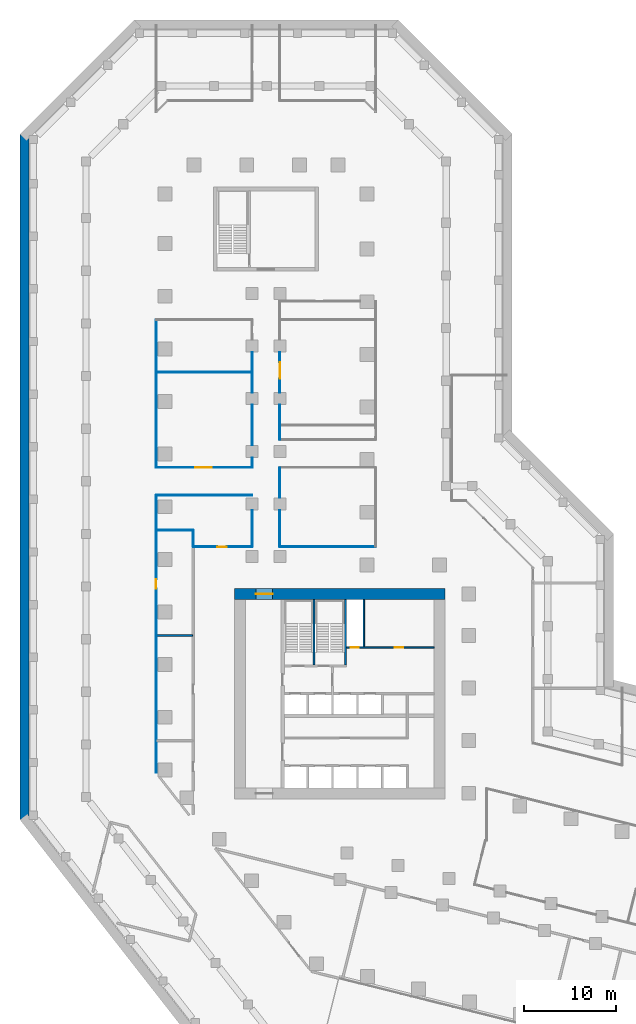
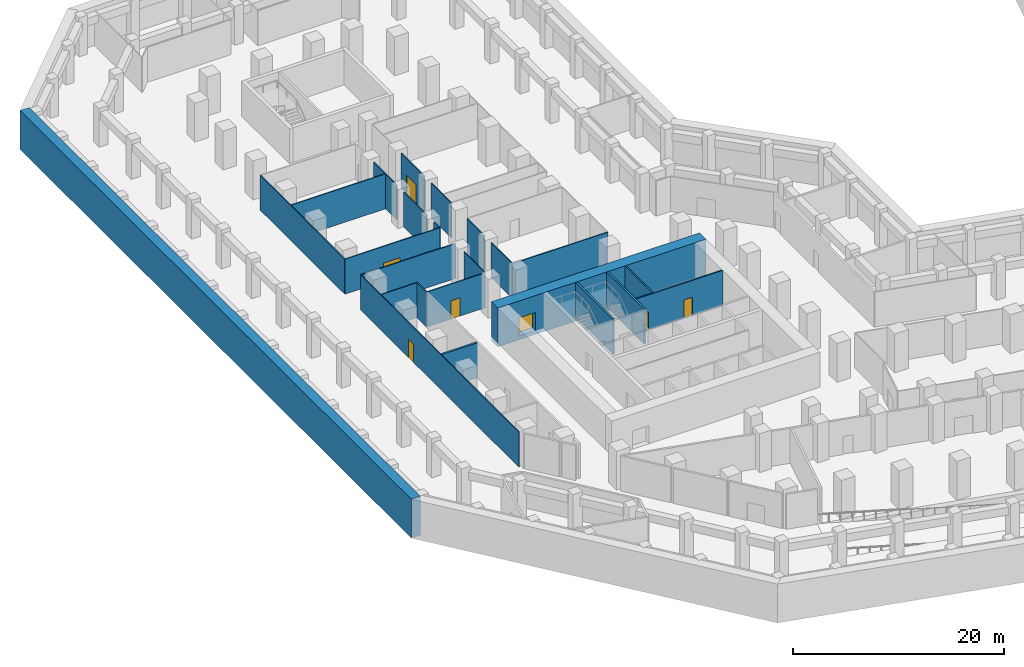
# One storey, part 9 of 14: 24 walls, 7 doors, 7 openings.
"""IFC4 building model written with IfcOpenShell, lengths in metres."""

from ifc_helpers import new_model, si_unit, direction, frame, frame_2d, origin, place, context, subcontext, project, spatial, rectangle, extrude, material, layer, layer_set, type_object, element, fill, save


model = new_model("IFC4")

# Units and contexts
model_context = context("Model", 3, precision=1e-05, world=origin(), true_north=direction((0.0, 1.0)))
body_context = subcontext(model_context, "Body", "Model", "MODEL_VIEW")
ifc_project = project(units=[si_unit("LENGTHUNIT", "METRE"), si_unit("AREAUNIT", "SQUARE_METRE"), si_unit("VOLUMEUNIT", "CUBIC_METRE"), si_unit("PLANEANGLEUNIT", "RADIAN"), si_unit("MASSUNIT", "GRAM", prefix="KILO")], contexts=[model_context])

# Site, building, storey
site_placement = place(None, origin())
site = spatial("IfcSite", under=ifc_project, at=site_placement, CompositionType="ELEMENT")
building_placement = place(site_placement, origin())
building = spatial("IfcBuilding", under=site, at=building_placement, Name="Meshkara Civic Tower", CompositionType="ELEMENT")
storey_placement = place(building_placement, frame((0.0, 0.0, -4.5)))
storey = spatial("IfcBuildingStorey", under=building, at=storey_placement, Name="B1", CompositionType="ELEMENT", Elevation=-4.5)

# Wall, openings, doors
ifc_material_1 = material(Name="Blockwork", Category="masonry")
ifc_layer_1 = layer(ifc_material_1, 0.14990234375)
ifc_layer_set_1 = layer_set([ifc_layer_1], Name="Core partition 150")
wall_type_1 = type_object("IfcWallType", Name="Core partition 150", PredefinedType="PARTITIONING", material=ifc_layer_set_1)
wall_1_placement = place(storey_placement, frame((20.10009765625, 30.5, 0.0), z_axis=(0.0, 0.0, 1.0), x_axis=(1.0, 0.0, 0.0)))
wall_1 = element("IfcWall", 1, at=wall_1_placement, inside=storey, type_object=wall_type_1, Name="B1-C010", PredefinedType="PARTITIONING", context=body_context, shape_type="SweptSolid", body=[
    extrude(rectangle(XDim=9.5, YDim=0.14990234375, at=frame_2d((4.75, 0.0))), origin(), (0.0, 0.0, 1.0), 4.050048828125),
])
opening_1_placement = place(wall_1_placement, frame((0.449951171875, 0.0, 0.0)))
opening_1 = element("IfcOpeningElement", 2, at=opening_1_placement, cuts=wall_1, Name="Opening B1-K011", PredefinedType="OPENING", context=body_context, shape_type="SweptSolid", body=[
    extrude(rectangle(XDim=0.89990234375, YDim=2.10009765625, at=frame_2d((0.449951171875, 1.050048828125))), frame((0.0, 0.0849609375, 0.0), z_axis=(0.0, -1.0, 0.0), x_axis=(1.0, 0.0, 0.0)), (0.0, 0.0, 1.0), 0.169921875),
])
opening_2_placement = place(wall_1_placement, frame((5.25, 0.0, 0.0)))
opening_2 = element("IfcOpeningElement", 3, at=opening_2_placement, cuts=wall_1, Name="Opening B1-K012", PredefinedType="OPENING", context=body_context, shape_type="SweptSolid", body=[
    extrude(rectangle(XDim=0.89990234375, YDim=2.10009765625, at=frame_2d((0.449951171875, 1.050048828125))), frame((0.0, 0.0849609375, 0.0), z_axis=(0.0, -1.0, 0.0), x_axis=(1.0, 0.0, 0.0)), (0.0, 0.0, 1.0), 0.169921875),
])
ifc_material_2 = material(Name="Timber door leaf in steel frame", Category="steel")
door_type_1 = type_object("IfcDoorType", Name="Core room door 900", OperationType="SINGLE_SWING_LEFT", PredefinedType="DOOR", material=ifc_material_2)
door_1_placement = place(opening_2_placement, origin())
door_1 = element("IfcDoor", 4, at=door_1_placement, inside=storey, type_object=door_type_1, Name="B1-K012", OperationType="SINGLE_SWING_LEFT", OverallHeight=2.10009765625, OverallWidth=0.89990234375, PredefinedType="DOOR", context=body_context, shape_type="SweptSolid", body=[
    extrude(rectangle(XDim=0.89990234375, YDim=2.10009765625, at=frame_2d((0.449951171875, 1.050048828125))), frame((0.0, 0.02490234375, 0.0), z_axis=(0.0, -1.0, 0.0), x_axis=(1.0, 0.0, 0.0)), (0.0, 0.0, 1.0), 0.050048828125),
])
fill(opening_2, door_1)
ifc_material_3 = material(Name="Fire-rated door leaf in steel frame", Category="steel")
door_type_2 = type_object("IfcDoorType", Name="Riser door 900", OperationType="SINGLE_SWING_LEFT", PredefinedType="DOOR", material=ifc_material_3)
door_2_placement = place(opening_1_placement, origin())
door_2 = element("IfcDoor", 5, at=door_2_placement, inside=storey, type_object=door_type_2, Name="B1-K011", OperationType="SINGLE_SWING_RIGHT", OverallHeight=2.10009765625, OverallWidth=0.89990234375, PredefinedType="DOOR", context=body_context, shape_type="SweptSolid", body=[
    extrude(rectangle(XDim=0.89990234375, YDim=2.10009765625, at=frame_2d((0.449951171875, 1.050048828125))), frame((0.0, 0.02490234375, 0.0), z_axis=(0.0, -1.0, 0.0), x_axis=(1.0, 0.0, 0.0)), (0.0, 0.0, 1.0), 0.050048828125),
])
fill(opening_1, door_2)

# Wall
wall_2_placement = place(storey_placement, frame((22.0, 30.574951171875, 0.0), z_axis=(0.0, 0.0, 1.0), x_axis=(0.0, 1.0, 0.0)))
element("IfcWall", 6, at=wall_2_placement, inside=storey, type_object=wall_type_1, Name="B1-C020", PredefinedType="PARTITIONING", context=body_context, shape_type="SweptSolid", body=[
    extrude(rectangle(XDim=5.125, YDim=0.14990234375, at=frame_2d((2.5625, 0.0))), origin(), (0.0, 0.0, 1.0), 4.050048828125),
])

# Wall, opening, door
ifc_material_4 = material(Name="Concrete C80", Category="concrete")
ifc_layer_2 = layer(ifc_material_4, 1.199951171875)
ifc_layer_set_2 = layer_set([ifc_layer_2], Name="Core ring wall 1200 C80")
wall_type_2 = type_object("IfcWallType", Name="Core ring wall 1200 C80", PredefinedType="SHEAR", material=ifc_layer_set_2)
wall_3_placement = place(storey_placement, frame((8.0, 36.300048828125, -0.449951171875), z_axis=(0.0, 0.0, 1.0), x_axis=(1.0, 0.0, 0.0)))
wall_3 = element("IfcWall", 7, at=wall_3_placement, inside=storey, type_object=wall_type_2, Name="B1-C002", PredefinedType="SHEAR", context=body_context, shape_type="SweptSolid", body=[
    extrude(rectangle(XDim=22.800048828125, YDim=1.199951171875, at=frame_2d((11.39990234375, 0.0))), origin(), (0.0, 0.0, 1.0), 4.5),
])
opening_3_placement = place(wall_3_placement, frame((2.300048828125, 0.0, 0.449951171875)))
opening_3 = element("IfcOpeningElement", 8, at=opening_3_placement, cuts=wall_3, Name="Opening B1-K018", PredefinedType="OPENING", context=body_context, shape_type="SweptSolid", body=[
    extrude(rectangle(XDim=1.800048828125, YDim=2.10009765625, at=frame_2d((0.89990234375, 1.050048828125))), frame((0.0, 0.60986328125, 0.0), z_axis=(0.0, -1.0, 0.0), x_axis=(1.0, 0.0, 0.0)), (0.0, 0.0, 1.0), 1.219970703125),
])
ifc_material_5 = material(Name="Fire-rated door leaf in steel frame", Category="steel")
door_type_3 = type_object("IfcDoorType", Name="Core double door 1800 EI 60", OperationType="DOUBLE_DOOR_SINGLE_SWING", PredefinedType="DOOR", material=ifc_material_5)
door_3_placement = place(opening_3_placement, origin())
door_3 = element("IfcDoor", 9, at=door_3_placement, inside=storey, type_object=door_type_3, Name="B1-K018", OperationType="DOUBLE_DOOR_SINGLE_SWING", OverallHeight=2.10009765625, OverallWidth=1.800048828125, PredefinedType="DOOR", context=body_context, shape_type="SweptSolid", body=[
    extrude(rectangle(XDim=1.800048828125, YDim=2.10009765625, at=frame_2d((0.89990234375, 1.050048828125))), frame((0.0, 0.02490234375, 0.0), z_axis=(0.0, -1.0, 0.0), x_axis=(1.0, 0.0, 0.0)), (0.0, 0.0, 1.0), 0.050048828125),
])
fill(opening_3, door_3)

ifc_material_6 = material(Name="Corridor wall 100")
ifc_layer_3 = layer(ifc_material_6, 0.10009765625)
ifc_layer_set_3 = layer_set([ifc_layer_3], Name="Corridor wall 100")
wall_type_3 = type_object("IfcWallType", Name="Corridor wall 100", PredefinedType="PARTITIONING", material=ifc_layer_set_3)
wall_4_placement = place(storey_placement, frame((-0.5, 16.927978515625, 0.0), z_axis=(0.0, 0.0, 1.0), x_axis=(0.0, 1.0, 0.0)))
wall_4 = element("IfcWall", 10, at=wall_4_placement, inside=storey, type_object=wall_type_3, Name="B1-R004", PredefinedType="PARTITIONING", context=body_context, shape_type="SweptSolid", body=[
    extrude(rectangle(XDim=30.072021484375, YDim=0.10009765625, at=frame_2d((15.0361328125, 0.0))), origin(), (0.0, 0.0, 1.0), 4.050048828125),
])
opening_4_placement = place(wall_4_placement, frame((19.951904296875, 0.0, 0.0)))
opening_4 = element("IfcOpeningElement", 11, at=opening_4_placement, cuts=wall_4, Name="Opening B1-P020", PredefinedType="OPENING", context=body_context, shape_type="SweptSolid", body=[
    extrude(rectangle(XDim=1.0, YDim=2.10009765625, at=frame_2d((0.5, 1.050048828125))), frame((0.0, 0.06005859375, 0.0), z_axis=(0.0, -1.0, 0.0), x_axis=(1.0, 0.0, 0.0)), (0.0, 0.0, 1.0), 0.1201171875),
])
ifc_material_7 = material(Name="Door 1000 x 2100")
door_type_4 = type_object("IfcDoorType", Name="Door 1000 x 2100", OperationType="SINGLE_SWING_LEFT", PredefinedType="DOOR", material=ifc_material_7)
door_4_placement = place(opening_4_placement, origin())
door_4 = element("IfcDoor", 12, at=door_4_placement, inside=storey, type_object=door_type_4, Name="B1-P020", OperationType="SINGLE_SWING_RIGHT", OverallHeight=2.10009765625, OverallWidth=1.0, PredefinedType="DOOR", context=body_context, shape_type="SweptSolid", body=[
    extrude(rectangle(XDim=1.0, YDim=2.10009765625, at=frame_2d((0.5, 1.050048828125))), frame((0.0, 0.02490234375, 0.0), z_axis=(0.0, -1.0, 0.0), x_axis=(1.0, 0.0, 0.0)), (0.0, 0.0, 1.0), 0.050048828125),
])
fill(opening_4, door_4)

# Walls
wall_5_placement = place(storey_placement, frame((-0.5, 47.0, 0.0), z_axis=(0.0, 0.0, 1.0), x_axis=(1.0, 0.0, 0.0)))
element("IfcWall", 13, at=wall_5_placement, inside=storey, type_object=wall_type_3, Name="B1-R005", PredefinedType="PARTITIONING", context=body_context, shape_type="SweptSolid", body=[
    extrude(rectangle(XDim=10.39990234375, YDim=0.10009765625, at=frame_2d((5.199951171875, 0.0))), origin(), (0.0, 0.0, 1.0), 4.050048828125),
])
wall_6_placement = place(storey_placement, frame((-0.5, 66.0, 0.0), z_axis=(0.0, 0.0, 1.0), x_axis=(0.0, -1.0, 0.0)))
element("IfcWall", 14, at=wall_6_placement, inside=storey, type_object=wall_type_3, Name="B1-R006", PredefinedType="PARTITIONING", context=body_context, shape_type="SweptSolid", body=[
    extrude(rectangle(XDim=16.0, YDim=0.10009765625, at=frame_2d((8.0, 0.0))), origin(), (0.0, 0.0, 1.0), 4.050048828125),
])

# Wall, opening, door
wall_7_placement = place(storey_placement, frame((9.89990234375, 41.39990234375, 0.0), z_axis=(0.0, 0.0, 1.0), x_axis=(-1.0, 0.0, 0.0)))
wall_7 = element("IfcWall", 15, at=wall_7_placement, inside=storey, type_object=wall_type_3, Name="B1-R018", PredefinedType="PARTITIONING", context=body_context, shape_type="SweptSolid", body=[
    extrude(rectangle(XDim=6.39990234375, YDim=0.10009765625, at=frame_2d((3.199951171875, 0.0))), origin(), (0.0, 0.0, 1.0), 4.050048828125),
])
opening_5_placement = place(wall_7_placement, frame((2.780029296875, 0.0, 0.0)))
opening_5 = element("IfcOpeningElement", 16, at=opening_5_placement, cuts=wall_7, Name="Opening B1-P021", PredefinedType="OPENING", context=body_context, shape_type="SweptSolid", body=[
    extrude(rectangle(XDim=1.0, YDim=2.10009765625, at=frame_2d((0.5, 1.050048828125))), frame((0.0, 0.06005859375, 0.0), z_axis=(0.0, -1.0, 0.0), x_axis=(1.0, 0.0, 0.0)), (0.0, 0.0, 1.0), 0.1201171875),
])
door_5_placement = place(opening_5_placement, origin())
door_5 = element("IfcDoor", 17, at=door_5_placement, inside=storey, type_object=door_type_4, Name="B1-P021", OperationType="SINGLE_SWING_LEFT", OverallHeight=2.10009765625, OverallWidth=1.0, PredefinedType="DOOR", context=body_context, shape_type="SweptSolid", body=[
    extrude(rectangle(XDim=1.0, YDim=2.10009765625, at=frame_2d((0.5, 1.050048828125))), frame((0.0, 0.02490234375, 0.0), z_axis=(0.0, -1.0, 0.0), x_axis=(1.0, 0.0, 0.0)), (0.0, 0.0, 1.0), 0.050048828125),
])
fill(opening_5, door_5)

# Wall
wall_8_placement = place(storey_placement, frame((9.89990234375, 45.3798828125, 0.0), z_axis=(0.0, 0.0, 1.0), x_axis=(0.0, -1.0, 0.0)))
element("IfcWall", 18, at=wall_8_placement, inside=storey, type_object=wall_type_3, Name="B1-R019", PredefinedType="PARTITIONING", context=body_context, shape_type="SweptSolid", body=[
    extrude(rectangle(XDim=3.97998046875, YDim=0.10009765625, at=frame_2d((1.989990234375, 0.0))), origin(), (0.0, 0.0, 1.0), 4.050048828125),
])

# Wall, opening, door
wall_9_placement = place(storey_placement, frame((9.89990234375, 50.0, 0.0), z_axis=(0.0, 0.0, 1.0), x_axis=(-1.0, 0.0, 0.0)))
wall_9 = element("IfcWall", 19, at=wall_9_placement, inside=storey, type_object=wall_type_3, Name="B1-R020", PredefinedType="PARTITIONING", context=body_context, shape_type="SweptSolid", body=[
    extrude(rectangle(XDim=10.39990234375, YDim=0.10009765625, at=frame_2d((5.199951171875, 0.0))), origin(), (0.0, 0.0, 1.0), 4.050048828125),
])
opening_6_placement = place(wall_9_placement, frame((4.3798828125, 0.0, 0.0)))
opening_6 = element("IfcOpeningElement", 20, at=opening_6_placement, cuts=wall_9, Name="Opening B1-P024", PredefinedType="OPENING", context=body_context, shape_type="SweptSolid", body=[
    extrude(rectangle(XDim=1.800048828125, YDim=2.10009765625, at=frame_2d((0.89990234375, 1.050048828125))), frame((0.0, 0.06005859375, 0.0), z_axis=(0.0, -1.0, 0.0), x_axis=(1.0, 0.0, 0.0)), (0.0, 0.0, 1.0), 0.1201171875),
])
ifc_material_8 = material(Name="Door pair 1800 x 2100")
door_type_5 = type_object("IfcDoorType", Name="Door pair 1800 x 2100", OperationType="SINGLE_SWING_LEFT", PredefinedType="DOOR", material=ifc_material_8)
door_6_placement = place(opening_6_placement, origin())
door_6 = element("IfcDoor", 21, at=door_6_placement, inside=storey, type_object=door_type_5, Name="B1-P024", OperationType="DOUBLE_DOOR_SINGLE_SWING", OverallHeight=2.10009765625, OverallWidth=1.800048828125, PredefinedType="DOOR", context=body_context, shape_type="SweptSolid", body=[
    extrude(rectangle(XDim=1.800048828125, YDim=2.10009765625, at=frame_2d((0.89990234375, 1.050048828125))), frame((0.0, 0.02490234375, 0.0), z_axis=(0.0, -1.0, 0.0), x_axis=(1.0, 0.0, 0.0)), (0.0, 0.0, 1.0), 0.050048828125),
])
fill(opening_6, door_6)

# Walls
wall_10_placement = place(storey_placement, frame((9.89990234375, 51.080078125, 0.0), z_axis=(0.0, 0.0, 1.0), x_axis=(0.0, -1.0, 0.0)))
element("IfcWall", 22, at=wall_10_placement, inside=storey, type_object=wall_type_3, Name="B1-R021", PredefinedType="PARTITIONING", context=body_context, shape_type="SweptSolid", body=[
    extrude(rectangle(XDim=1.080078125, YDim=0.10009765625, at=frame_2d((0.5400390625, 0.0))), origin(), (0.0, 0.0, 1.0), 4.050048828125),
])
wall_11_placement = place(storey_placement, frame((9.89990234375, 56.780029296875, 0.0), z_axis=(0.0, 0.0, 1.0), x_axis=(0.0, -1.0, 0.0)))
element("IfcWall", 23, at=wall_11_placement, inside=storey, type_object=wall_type_3, Name="B1-R022", PredefinedType="PARTITIONING", context=body_context, shape_type="SweptSolid", body=[
    extrude(rectangle(XDim=4.360107421875, YDim=0.10009765625, at=frame_2d((2.18017578125, 0.0))), origin(), (0.0, 0.0, 1.0), 4.050048828125),
])
wall_12_placement = place(storey_placement, frame((9.89990234375, 62.47998046875, 0.0), z_axis=(0.0, 0.0, 1.0), x_axis=(0.0, -1.0, 0.0)))
element("IfcWall", 24, at=wall_12_placement, inside=storey, type_object=wall_type_3, Name="B1-R023", PredefinedType="PARTITIONING", context=body_context, shape_type="SweptSolid", body=[
    extrude(rectangle(XDim=4.35986328125, YDim=0.10009765625, at=frame_2d((2.179931640625, 0.0))), origin(), (0.0, 0.0, 1.0), 4.050048828125),
])
wall_13_placement = place(storey_placement, frame((12.89990234375, 41.39990234375, 0.0), z_axis=(0.0, 0.0, 1.0), x_axis=(0.0, 1.0, 0.0)))
element("IfcWall", 25, at=wall_13_placement, inside=storey, type_object=wall_type_3, Name="B1-R028", PredefinedType="PARTITIONING", context=body_context, shape_type="SweptSolid", body=[
    extrude(rectangle(XDim=3.97998046875, YDim=0.10009765625, at=frame_2d((1.989990234375, 0.0))), origin(), (0.0, 0.0, 1.0), 4.050048828125),
])
wall_14_placement = place(storey_placement, frame((12.89990234375, 46.719970703125, 0.0), z_axis=(0.0, 0.0, 1.0), x_axis=(0.0, 1.0, 0.0)))
element("IfcWall", 26, at=wall_14_placement, inside=storey, type_object=wall_type_3, Name="B1-R029", PredefinedType="PARTITIONING", context=body_context, shape_type="SweptSolid", body=[
    extrude(rectangle(XDim=3.280029296875, YDim=0.10009765625, at=frame_2d((1.64013671875, 0.0))), origin(), (0.0, 0.0, 1.0), 4.050048828125),
])
wall_15_placement = place(storey_placement, frame((12.89990234375, 56.780029296875, 0.0), z_axis=(0.0, 0.0, 1.0), x_axis=(0.0, -1.0, 0.0)))
element("IfcWall", 27, at=wall_15_placement, inside=storey, type_object=wall_type_3, Name="B1-R031", PredefinedType="PARTITIONING", context=body_context, shape_type="SweptSolid", body=[
    extrude(rectangle(XDim=3.780029296875, YDim=0.10009765625, at=frame_2d((1.89013671875, 0.0))), origin(), (0.0, 0.0, 1.0), 4.050048828125),
])

# Wall, opening, door
wall_16_placement = place(storey_placement, frame((12.89990234375, 58.1201171875, 0.0), z_axis=(0.0, 0.0, 1.0), x_axis=(0.0, 1.0, 0.0)))
wall_16 = element("IfcWall", 28, at=wall_16_placement, inside=storey, type_object=wall_type_3, Name="B1-R032", PredefinedType="PARTITIONING", context=body_context, shape_type="SweptSolid", body=[
    extrude(rectangle(XDim=4.35986328125, YDim=0.10009765625, at=frame_2d((2.179931640625, 0.0))), origin(), (0.0, 0.0, 1.0), 4.050048828125),
])
opening_7_placement = place(wall_16_placement, frame((1.47998046875, 0.0, 0.0)))
opening_7 = element("IfcOpeningElement", 29, at=opening_7_placement, cuts=wall_16, Name="Opening B1-P028", PredefinedType="OPENING", context=body_context, shape_type="SweptSolid", body=[
    extrude(rectangle(XDim=1.800048828125, YDim=2.10009765625, at=frame_2d((0.89990234375, 1.050048828125))), frame((0.0, 0.06005859375, 0.0), z_axis=(0.0, -1.0, 0.0), x_axis=(1.0, 0.0, 0.0)), (0.0, 0.0, 1.0), 0.1201171875),
])
door_7_placement = place(opening_7_placement, origin())
door_7 = element("IfcDoor", 30, at=door_7_placement, inside=storey, type_object=door_type_5, Name="B1-P028", OperationType="DOUBLE_DOOR_SINGLE_SWING", OverallHeight=2.10009765625, OverallWidth=1.800048828125, PredefinedType="DOOR", context=body_context, shape_type="SweptSolid", body=[
    extrude(rectangle(XDim=1.800048828125, YDim=2.10009765625, at=frame_2d((0.89990234375, 1.050048828125))), frame((0.0, 0.02490234375, 0.0), z_axis=(0.0, -1.0, 0.0), x_axis=(1.0, 0.0, 0.0)), (0.0, 0.0, 1.0), 0.050048828125),
])
fill(opening_7, door_7)

# Walls
wall_17_placement = place(storey_placement, frame((23.300048828125, 41.39990234375, 0.0), z_axis=(0.0, 0.0, 1.0), x_axis=(-1.0, 0.0, 0.0)))
element("IfcWall", 31, at=wall_17_placement, inside=storey, type_object=wall_type_3, Name="B1-R040", PredefinedType="PARTITIONING", context=body_context, shape_type="SweptSolid", body=[
    extrude(rectangle(XDim=10.400146484375, YDim=0.10009765625, at=frame_2d((5.2001953125, 0.0))), origin(), (0.0, 0.0, 1.0), 4.050048828125),
])
ifc_material_9 = material(Name="Concrete C50", Category="concrete")
ifc_layer_4 = layer(ifc_material_9, 1.0)
ifc_layer_set_4 = layer_set([ifc_layer_4], Name="Diaphragm wall 1000 C50")
wall_type_4 = type_object("IfcWallType", Name="Diaphragm wall 1000 C50", PredefinedType="SOLIDWALL", material=ifc_layer_set_4)
wall_18_placement = place(storey_placement, frame((-14.75, 11.8486328125, 0.0), z_axis=(0.0, 0.0, 1.0), x_axis=(0.0, 1.0, 0.0)))
element("IfcWall", 32, at=wall_18_placement, inside=storey, type_object=wall_type_4, Name="Basement perimeter wall", PredefinedType="SOLIDWALL", context=body_context, shape_type="SweptSolid", body=[
    extrude(rectangle(XDim=74.2685546875, YDim=1.0, at=frame_2d((37.13427734375, 0.0))), origin(), (0.0, 0.0, 1.0), 4.5),
])
ifc_material_10 = material(Name="Fire-rated wall 200")
ifc_layer_5 = layer(ifc_material_10, 0.199951171875)
ifc_layer_set_5 = layer_set([ifc_layer_5], Name="Fire-rated wall 200")
wall_type_5 = type_object("IfcWallType", Name="Fire-rated wall 200", PredefinedType="PARTITIONING", material=ifc_layer_set_5)
wall_19_placement = place(storey_placement, frame((3.449951171875, 31.800048828125, 0.0), z_axis=(0.0, 0.0, 1.0), x_axis=(-1.0, 0.0, 0.0)))
element("IfcWall", 33, at=wall_19_placement, inside=storey, type_object=wall_type_5, Name="B1-R088", PredefinedType="PARTITIONING", context=body_context, shape_type="SweptSolid", body=[
    extrude(rectangle(XDim=3.89990234375, YDim=0.199951171875, at=frame_2d((1.949951171875, 0.0))), origin(), (0.0, 0.0, 1.0), 4.050048828125),
])
ifc_material_11 = material(Name="Partition 100")
ifc_layer_6 = layer(ifc_material_11, 0.10009765625)
ifc_layer_set_6 = layer_set([ifc_layer_6], Name="Partition 100")
wall_type_6 = type_object("IfcWallType", Name="Partition 100", PredefinedType="PARTITIONING", material=ifc_layer_set_6)
wall_20_placement = place(storey_placement, frame((-0.449951171875, 43.199951171875, 0.0), z_axis=(0.0, 0.0, 1.0), x_axis=(1.0, 0.0, 0.0)))
element("IfcWall", 34, at=wall_20_placement, inside=storey, type_object=wall_type_6, Name="B1-R086", PredefinedType="PARTITIONING", context=body_context, shape_type="SweptSolid", body=[
    extrude(rectangle(XDim=3.949951171875, YDim=0.10009765625, at=frame_2d((1.97509765625, 0.0))), origin(), (0.0, 0.0, 1.0), 4.050048828125),
])
wall_21_placement = place(storey_placement, frame((3.5, 43.199951171875, 0.0), z_axis=(0.0, 0.0, 1.0), x_axis=(0.0, -1.0, 0.0)))
element("IfcWall", 35, at=wall_21_placement, inside=storey, type_object=wall_type_6, Name="B1-R089", PredefinedType="PARTITIONING", context=body_context, shape_type="SweptSolid", body=[
    extrude(rectangle(XDim=1.803955078125, YDim=0.10009765625, at=frame_2d((0.90185546875, 0.0))), origin(), (0.0, 0.0, 1.0), 4.050048828125),
])
wall_22_placement = place(storey_placement, frame((9.85009765625, 60.300048828125, 0.0), z_axis=(0.0, 0.0, 1.0), x_axis=(-1.0, 0.0, 0.0)))
element("IfcWall", 36, at=wall_22_placement, inside=storey, type_object=wall_type_6, Name="B1-R090", PredefinedType="PARTITIONING", context=body_context, shape_type="SweptSolid", body=[
    extrude(rectangle(XDim=10.300048828125, YDim=0.10009765625, at=frame_2d((5.14990234375, 0.0))), origin(), (0.0, 0.0, 1.0), 4.050048828125),
])
ifc_material_12 = material(Name="Concrete C40/50", Category="concrete")
ifc_layer_7 = layer(ifc_material_12, 0.199951171875)
ifc_layer_set_7 = layer_set([ifc_layer_7], Name="Stair enclosure wall 200 C40/50")
wall_type_7 = type_object("IfcWallType", Name="Stair enclosure wall 200 C40/50", PredefinedType="SOLIDWALL", material=ifc_layer_set_7)
for number, where, z_axis, x_axis, name in (
    (37, (16.60009765625, 28.60009765625, 0.0), (0.0, 0.0, 1.0), (0.0, 1.0, 0.0), "B1-C014"),
    (38, (20.0, 28.60009765625, 0.0), (0.0, 0.0, 1.0), (0.0, 1.0, 0.0), "B1-C017"),
):
    element("IfcWall", number, at=place(storey_placement, frame(where, z_axis=z_axis, x_axis=x_axis)), inside=storey, type_object=wall_type_7, Name=name, PredefinedType="SOLIDWALL", context=body_context, shape_type="SweptSolid", body=[
        extrude(rectangle(XDim=7.099853515625, YDim=0.199951171875, at=frame_2d((3.5498046875, 0.0))), origin(), (0.0, 0.0, 1.0), 4.050048828125),
    ])

save(model, "model.ifc")
